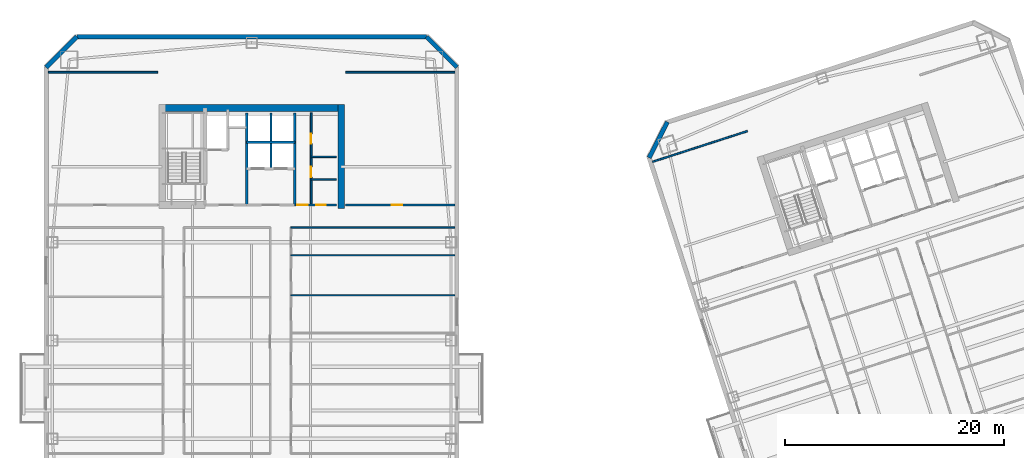
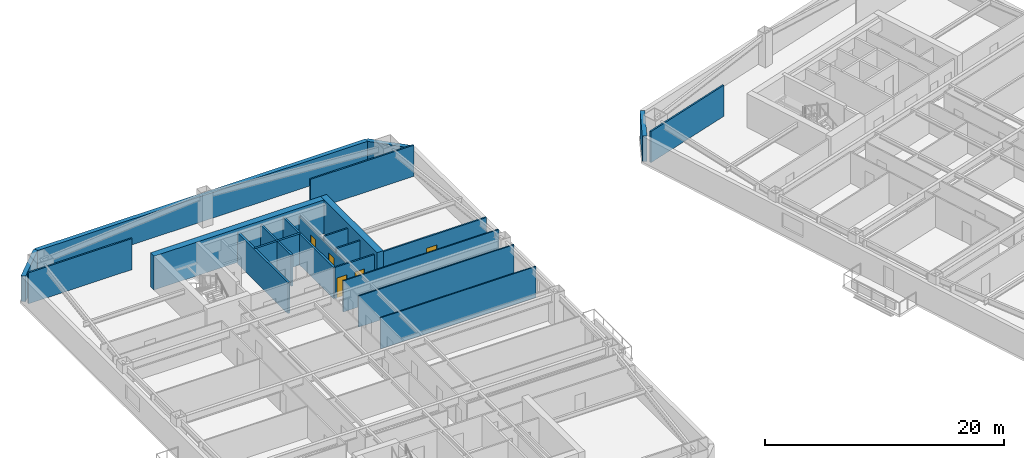
# One storey, part 6 of 14: 21 walls, 5 doors, 5 openings.
"""IFC4 building model written with IfcOpenShell, lengths in metres."""

from ifc_helpers import new_model, si_unit, direction, frame, frame_2d, origin, place, context, subcontext, project, spatial, rectangle, extrude, material, layer, layer_set, type_object, element, fill, save


model = new_model("IFC4")

# Units and contexts
model_context = context("Model", 3, precision=1e-05, world=origin(), true_north=direction((0.0, 1.0)))
body_context = subcontext(model_context, "Body", "Model", "MODEL_VIEW")
ifc_project = project(units=[si_unit("LENGTHUNIT", "METRE"), si_unit("AREAUNIT", "SQUARE_METRE"), si_unit("VOLUMEUNIT", "CUBIC_METRE"), si_unit("PLANEANGLEUNIT", "RADIAN"), si_unit("MASSUNIT", "GRAM", prefix="KILO")], contexts=[model_context])

# Site, building, storey
site_placement = place(None, origin())
site = spatial("IfcSite", under=ifc_project, at=site_placement, CompositionType="ELEMENT")
building_placement = place(site_placement, origin())
building = spatial("IfcBuilding", under=site, at=building_placement, Name="Qiaolan Cultural Towers", CompositionType="ELEMENT")
storey_placement = place(building_placement, frame((0.0, 0.0, 124.199951171875)))
storey = spatial("IfcBuildingStorey", under=building, at=storey_placement, Name="L32", CompositionType="ELEMENT", Elevation=124.199951171875)

# Walls
ifc_material_1 = material(Name="Concrete C55", Category="concrete")
ifc_layer_1 = layer(ifc_material_1, 0.60009765625)
ifc_layer_set_1 = layer_set([ifc_layer_1], Name="Concrete C55")
wall_type_1 = type_object("IfcWallType", Name="WL-CORE-600", PredefinedType="SHEAR", material=ifc_layer_set_1)
wall_1_placement = place(storey_placement, frame((21.5, 55.280029296875, 0.0), z_axis=(0.0, 0.0, 1.0), x_axis=(1.0, 0.0, 0.0)))
element("IfcWall", 1, at=wall_1_placement, inside=storey, type_object=wall_type_1, Name="L32 T1-CN Outer Core Shear Wall", PredefinedType="SHEAR", context=body_context, shape_type="SweptSolid", body=[
    extrude(rectangle(XDim=17.0, YDim=0.60009765625, at=frame_2d((8.5, 0.0))), origin(), (0.0, 0.0, 1.0), 3.449951171875),
])
wall_2_placement = place(storey_placement, frame((38.199951171875, 46.10009765625, 0.0), z_axis=(0.0, 0.0, 1.0), x_axis=(0.0, 1.0, 0.0)))
element("IfcWall", 2, at=wall_2_placement, inside=storey, type_object=wall_type_1, Name="L32 T1-CN East Core Shear Wall", PredefinedType="SHEAR", context=body_context, shape_type="SweptSolid", body=[
    extrude(rectangle(XDim=9.47998046875, YDim=0.60009765625, at=frame_2d((4.739990234375, 0.0))), origin(), (0.0, 0.0, 1.0), 3.449951171875),
])
ifc_material_2 = material(Name="Precast Concrete C50 Honed Stone Pier", Category="masonry")
ifc_layer_2 = layer(ifc_material_2, 0.39990234375)
ifc_layer_set_2 = layer_set([ifc_layer_2], Name="Precast Concrete C50 Honed Stone Pier")
wall_type_2 = type_object("IfcWallType", Name="WL-EXT-PIER-400", PredefinedType="SOLIDWALL", material=ifc_layer_set_2)
wall_3_placement = place(storey_placement, frame((11.199951171875, 59.0, 0.0), z_axis=(0.0, 0.0, 1.0), x_axis=(0.707106781187, 0.707106781187, 0.0)))
element("IfcWall", 3, at=wall_3_placement, inside=storey, type_object=wall_type_2, Name="L32 West Tower Precast Pier Facade Wall F2", PredefinedType="SOLIDWALL", context=body_context, shape_type="SweptSolid", body=[
    extrude(rectangle(XDim=3.9599609375, YDim=0.39990234375, at=frame_2d((1.97998046875, 0.0))), origin(), (0.0, 0.0, 1.0), 2.610107421875),
])
wall_4_placement = place(storey_placement, frame((14.0, 61.800048828125, 0.0), z_axis=(0.0, 0.0, 1.0), x_axis=(1.0, 0.0, 0.0)))
element("IfcWall", 4, at=wall_4_placement, inside=storey, type_object=wall_type_2, Name="L32 West Tower Precast Pier Facade Wall F3", PredefinedType="SOLIDWALL", context=body_context, shape_type="SweptSolid", body=[
    extrude(rectangle(XDim=32.0, YDim=0.39990234375, at=frame_2d((16.0, 0.0))), origin(), (0.0, 0.0, 1.0), 2.610107421875),
])
wall_5_placement = place(storey_placement, frame((46.0, 61.800048828125, 0.0), z_axis=(0.0, 0.0, 1.0), x_axis=(0.707106781187, -0.707106781187, 0.0)))
element("IfcWall", 5, at=wall_5_placement, inside=storey, type_object=wall_type_2, Name="L32 West Tower Precast Pier Facade Wall F4", PredefinedType="SOLIDWALL", context=body_context, shape_type="SweptSolid", body=[
    extrude(rectangle(XDim=3.9599609375, YDim=0.39990234375, at=frame_2d((1.97998046875, 0.0))), origin(), (0.0, 0.0, 1.0), 2.610107421875),
])
wall_6_placement = place(storey_placement, frame((66.37744140625, 50.718505859375, 0.0), z_axis=(0.0, 0.0, 1.0), x_axis=(0.454026238093, 0.890988313685, 0.0)))
element("IfcWall", 6, at=wall_6_placement, inside=storey, type_object=wall_type_2, Name="L32 East Tower Precast Pier Facade Wall F2", PredefinedType="SOLIDWALL", context=body_context, shape_type="SweptSolid", body=[
    extrude(rectangle(XDim=3.677001953125, YDim=0.39990234375, at=frame_2d((1.83837890625, 0.0))), origin(), (0.0, 0.0, 1.0), 2.610107421875),
])
ifc_material_3 = material(Name="Concrete C35 Fire Wall", Category="concrete")
ifc_layer_3 = layer(ifc_material_3, 0.199951171875)
ifc_layer_set_3 = layer_set([ifc_layer_3], Name="Concrete C35 Fire Wall")
wall_type_3 = type_object("IfcWallType", Name="WL-FIRE-200", PredefinedType="PARTITIONING", material=ifc_layer_set_3)
for number, where, z_axis, x_axis, name in (
    (7, (29.550048828125, 46.39990234375, 0.0), (0.0, 0.0, 1.0), (0.0, 1.0, 0.0), "L32 T1-CN Firefighting Zone Wall"),
    (8, (33.949951171875, 46.39990234375, 0.0), (0.0, 0.0, 1.0), (0.0, 1.0, 0.0), "L32 T1-CN Lift Core East Wall"),
):
    element("IfcWall", number, at=place(storey_placement, frame(where, z_axis=z_axis, x_axis=x_axis)), inside=storey, type_object=wall_type_3, Name=name, PredefinedType="PARTITIONING", context=body_context, shape_type="SweptSolid", body=[
        extrude(rectangle(XDim=8.43017578125, YDim=0.199951171875, at=frame_2d((4.215087890625, 0.0))), origin(), (0.0, 0.0, 1.0), 3.175048828125),
    ])
wall_7_placement = place(storey_placement, frame((31.780029296875, 49.719970703125, 0.0), z_axis=(0.0, 0.0, 1.0), x_axis=(0.0, 1.0, 0.0)))
element("IfcWall", 9, at=wall_7_placement, inside=storey, type_object=wall_type_3, Name="L32 T1-CN Lift Shaft Divider Wall", PredefinedType="PARTITIONING", context=body_context, shape_type="SweptSolid", body=[
    extrude(rectangle(XDim=5.110107421875, YDim=0.199951171875, at=frame_2d((2.55517578125, 0.0))), origin(), (0.0, 0.0, 1.0), 3.175048828125),
])
wall_8_placement = place(storey_placement, frame((29.550048828125, 52.14990234375, 0.0), z_axis=(0.0, 0.0, 1.0), x_axis=(1.0, 0.0, 0.0)))
element("IfcWall", 10, at=wall_8_placement, inside=storey, type_object=wall_type_3, Name="L32 T1-CN Passenger Lift Shaft Back Wall", PredefinedType="PARTITIONING", context=body_context, shape_type="SweptSolid", body=[
    extrude(rectangle(XDim=4.39990234375, YDim=0.199951171875, at=frame_2d((2.199951171875, 0.0))), origin(), (0.0, 0.0, 1.0), 3.175048828125),
])
ifc_material_4 = material(Name="Gypsum Stud Acoustic Partition", Category="gypsum")
ifc_layer_4 = layer(ifc_material_4, 0.1201171875)
ifc_layer_set_4 = layer_set([ifc_layer_4], Name="Gypsum Stud Acoustic Partition")
wall_type_4 = type_object("IfcWallType", Name="WL-PART-120", PredefinedType="PARTITIONING", material=ifc_layer_set_4)
for number, where, z_axis, x_axis, name in (
    (11, (33.60009765625, 44.35009765625, 0.0), (0.0, 0.0, 1.0), (1.0, 0.0, 0.0), "L32 T1 Interior Wall"),
    (12, (33.60009765625, 38.133056640625, 0.0), (0.0, 0.0, 1.0), (1.0, 0.0, 0.0), "L32 T1 Interior Wall"),
    (13, (33.60009765625, 41.800048828125, 0.0), (0.0, 0.0, 1.0), (1.0, 0.0, 0.0), "L32 T1 Interior Wall"),
):
    element("IfcWall", number, at=place(storey_placement, frame(where, z_axis=z_axis, x_axis=x_axis)), inside=storey, type_object=wall_type_4, Name=name, PredefinedType="PARTITIONING", context=body_context, shape_type="SweptSolid", body=[
        extrude(rectangle(XDim=15.0, YDim=0.1201171875, at=frame_2d((7.5, 0.0))), origin(), (0.0, 0.0, 1.0), 3.175048828125),
    ])

# Wall, openings, doors
ifc_material_5 = material(Name="Autoclaved Aerated Concrete Block B06", Category="concrete")
ifc_layer_5 = layer(ifc_material_5, 0.14990234375)
ifc_layer_set_5 = layer_set([ifc_layer_5], Name="Autoclaved Aerated Concrete Block B06")
wall_type_5 = type_object("IfcWallType", Name="WL-PART-150", PredefinedType="PARTITIONING", material=ifc_layer_set_5)
wall_9_placement = place(storey_placement, frame((33.949951171875, 46.39990234375, 0.0), z_axis=(0.0, 0.0, 1.0), x_axis=(1.0, 0.0, 0.0)))
wall_9 = element("IfcWall", 14, at=wall_9_placement, inside=storey, type_object=wall_type_5, Name="L32 T1-CN Sanitary Core Front Wall", PredefinedType="PARTITIONING", context=body_context, shape_type="SweptSolid", body=[
    extrude(rectangle(XDim=3.800048828125, YDim=0.14990234375, at=frame_2d((1.89990234375, 0.0))), origin(), (0.0, 0.0, 1.0), 3.175048828125),
])
opening_1_placement = place(wall_9_placement, frame((0.219970703125, 0.0, 0.0)))
opening_1 = element("IfcOpeningElement", 15, at=opening_1_placement, cuts=wall_9, Name="Opening ID-05", PredefinedType="OPENING", context=body_context, shape_type="SweptSolid", body=[
    extrude(rectangle(XDim=0.949951171875, YDim=2.050048828125, at=frame_2d((0.47509765625, 1.02490234375))), frame((0.0, 0.0849609375, 0.0), z_axis=(0.0, -1.0, 0.0), x_axis=(1.0, 0.0, 0.0)), (0.0, 0.0, 1.0), 0.169921875),
])
opening_2_placement = place(wall_9_placement, frame((1.949951171875, 0.0, 0.0)))
opening_2 = element("IfcOpeningElement", 16, at=opening_2_placement, cuts=wall_9, Name="Opening ID-06", PredefinedType="OPENING", context=body_context, shape_type="SweptSolid", body=[
    extrude(rectangle(XDim=0.89990234375, YDim=2.050048828125, at=frame_2d((0.449951171875, 1.02490234375))), frame((0.0, 0.0849609375, 0.0), z_axis=(0.0, -1.0, 0.0), x_axis=(1.0, 0.0, 0.0)), (0.0, 0.0, 1.0), 0.169921875),
])
ifc_material_6 = material(Name="Fire-Rated Laminate Core Service Door", Category="timber")
door_type_1 = type_object("IfcDoorType", Name="DR-INT-900", OperationType="NOTDEFINED", PredefinedType="DOOR", material=ifc_material_6)
door_1_placement = place(opening_2_placement, origin())
door_1 = element("IfcDoor", 17, at=door_1_placement, inside=storey, type_object=door_type_1, Name="L32 Core Tea Pantry Door", OperationType="SINGLE_SWING_RIGHT", OverallHeight=2.050048828125, OverallWidth=0.89990234375, PredefinedType="DOOR", context=body_context, shape_type="SweptSolid", body=[
    extrude(rectangle(XDim=0.89990234375, YDim=2.050048828125, at=frame_2d((0.449951171875, 1.02490234375))), frame((0.0, 0.02490234375, 0.0), z_axis=(0.0, -1.0, 0.0), x_axis=(1.0, 0.0, 0.0)), (0.0, 0.0, 1.0), 0.050048828125),
])
fill(opening_2, door_1)
ifc_material_7 = material(Name="Fire-Rated Laminate Accessible Core Door", Category="timber")
door_type_2 = type_object("IfcDoorType", Name="DR-INT-950", OperationType="NOTDEFINED", PredefinedType="DOOR", material=ifc_material_7)
door_2_placement = place(opening_1_placement, origin())
door_2 = element("IfcDoor", 18, at=door_2_placement, inside=storey, type_object=door_type_2, Name="L32 Sanitary Passage Door", OperationType="SINGLE_SWING_LEFT", OverallHeight=2.050048828125, OverallWidth=0.949951171875, PredefinedType="DOOR", context=body_context, shape_type="SweptSolid", body=[
    extrude(rectangle(XDim=0.949951171875, YDim=2.050048828125, at=frame_2d((0.47509765625, 1.02490234375))), frame((0.0, 0.02490234375, 0.0), z_axis=(0.0, -1.0, 0.0), x_axis=(1.0, 0.0, 0.0)), (0.0, 0.0, 1.0), 0.050048828125),
])
fill(opening_1, door_2)

wall_10_placement = place(storey_placement, frame((35.449951171875, 46.39990234375, 0.0), z_axis=(0.0, 0.0, 1.0), x_axis=(0.0, 1.0, 0.0)))
wall_10 = element("IfcWall", 19, at=wall_10_placement, inside=storey, type_object=wall_type_5, Name="L32 T1-CN Sanitary Corridor Wall", PredefinedType="PARTITIONING", context=body_context, shape_type="SweptSolid", body=[
    extrude(rectangle(XDim=8.43017578125, YDim=0.14990234375, at=frame_2d((4.215087890625, 0.0))), origin(), (0.0, 0.0, 1.0), 2.76513671875),
])
opening_3_placement = place(wall_10_placement, frame((2.550048828125, 0.0, 0.0)))
opening_3 = element("IfcOpeningElement", 20, at=opening_3_placement, cuts=wall_10, Name="Opening ID-05", PredefinedType="OPENING", context=body_context, shape_type="SweptSolid", body=[
    extrude(rectangle(XDim=0.949951171875, YDim=2.050048828125, at=frame_2d((0.47509765625, 1.02490234375))), frame((0.0, 0.0849609375, 0.0), z_axis=(0.0, -1.0, 0.0), x_axis=(1.0, 0.0, 0.0)), (0.0, 0.0, 1.0), 0.169921875),
])
opening_4_placement = place(wall_10_placement, frame((5.60009765625, 0.0, 0.0)))
opening_4 = element("IfcOpeningElement", 21, at=opening_4_placement, cuts=wall_10, Name="Opening ID-06", PredefinedType="OPENING", context=body_context, shape_type="SweptSolid", body=[
    extrude(rectangle(XDim=0.89990234375, YDim=2.050048828125, at=frame_2d((0.449951171875, 1.02490234375))), frame((0.0, 0.0849609375, 0.0), z_axis=(0.0, -1.0, 0.0), x_axis=(1.0, 0.0, 0.0)), (0.0, 0.0, 1.0), 0.169921875),
])
door_3_placement = place(opening_4_placement, origin())
door_3 = element("IfcDoor", 22, at=door_3_placement, inside=storey, type_object=door_type_1, Name="L32 Staff Restroom Door", OperationType="SINGLE_SWING_RIGHT", OverallHeight=2.050048828125, OverallWidth=0.89990234375, PredefinedType="DOOR", context=body_context, shape_type="SweptSolid", body=[
    extrude(rectangle(XDim=0.89990234375, YDim=2.050048828125, at=frame_2d((0.449951171875, 1.02490234375))), frame((0.0, 0.02490234375, 0.0), z_axis=(0.0, -1.0, 0.0), x_axis=(1.0, 0.0, 0.0)), (0.0, 0.0, 1.0), 0.050048828125),
])
fill(opening_4, door_3)
door_4_placement = place(opening_3_placement, origin())
door_4 = element("IfcDoor", 23, at=door_4_placement, inside=storey, type_object=door_type_2, Name="L32 Accessible Washroom Door", OperationType="SINGLE_SWING_LEFT", OverallHeight=2.050048828125, OverallWidth=0.949951171875, PredefinedType="DOOR", context=body_context, shape_type="SweptSolid", body=[
    extrude(rectangle(XDim=0.949951171875, YDim=2.050048828125, at=frame_2d((0.47509765625, 1.02490234375))), frame((0.0, 0.02490234375, 0.0), z_axis=(0.0, -1.0, 0.0), x_axis=(1.0, 0.0, 0.0)), (0.0, 0.0, 1.0), 0.050048828125),
])
fill(opening_3, door_4)

# Walls
for number, where, z_axis, x_axis, name in (
    (24, (35.449951171875, 50.800048828125, 0.0), (0.0, 0.0, 1.0), (1.0, 0.0, 0.0), "L32 T1-CN Restroom Split Wall"),
    (25, (35.449951171875, 48.75, 0.0), (0.0, 0.0, 1.0), (1.0, 0.0, 0.0), "L32 T1-CN Core Pantry Wall"),
):
    element("IfcWall", number, at=place(storey_placement, frame(where, z_axis=z_axis, x_axis=x_axis)), inside=storey, type_object=wall_type_5, Name=name, PredefinedType="PARTITIONING", context=body_context, shape_type="SweptSolid", body=[
        extrude(rectangle(XDim=2.300048828125, YDim=0.14990234375, at=frame_2d((1.14990234375, 0.0))), origin(), (0.0, 0.0, 1.0), 3.175048828125),
    ])
for number, where, z_axis, x_axis, name in (
    (26, (11.39990234375, 58.550048828125, 0.0), (0.0, 0.0, 1.0), (1.0, 0.0, 0.0), "L32 T1 Flank Wall FLK-NW"),
    (27, (38.60009765625, 58.550048828125, 0.0), (0.0, 0.0, 1.0), (1.0, 0.0, 0.0), "L32 T1 Flank Wall FLK-NE"),
):
    element("IfcWall", number, at=place(storey_placement, frame(where, z_axis=z_axis, x_axis=x_axis)), inside=storey, type_object=wall_type_5, Name=name, PredefinedType="PARTITIONING", context=body_context, shape_type="SweptSolid", body=[
        extrude(rectangle(XDim=10.0, YDim=0.14990234375, at=frame_2d((5.0, 0.0))), origin(), (0.0, 0.0, 1.0), 3.175048828125),
    ])

# Wall, opening, door
wall_11_placement = place(storey_placement, frame((38.60009765625, 46.39990234375, 0.0), z_axis=(0.0, 0.0, 1.0), x_axis=(1.0, 0.0, 0.0)))
wall_11 = element("IfcWall", 28, at=wall_11_placement, inside=storey, type_object=wall_type_5, Name="L32 T1 Flank Front FLK-NE", PredefinedType="PARTITIONING", context=body_context, shape_type="SweptSolid", body=[
    extrude(rectangle(XDim=10.0, YDim=0.14990234375, at=frame_2d((5.0, 0.0))), origin(), (0.0, 0.0, 1.0), 3.175048828125),
])
opening_5_placement = place(wall_11_placement, frame((4.199951171875, 0.0, 0.0)))
opening_5 = element("IfcOpeningElement", 29, at=opening_5_placement, cuts=wall_11, Name="Opening ID-04", PredefinedType="OPENING", context=body_context, shape_type="SweptSolid", body=[
    extrude(rectangle(XDim=1.0, YDim=2.050048828125, at=frame_2d((0.5, 1.02490234375))), frame((0.0, 0.0849609375, 0.0), z_axis=(0.0, -1.0, 0.0), x_axis=(1.0, 0.0, 0.0)), (0.0, 0.0, 1.0), 0.169921875),
])
ifc_material_8 = material(Name="Oak Veneer Acoustic Office Door", Category="timber")
door_type_3 = type_object("IfcDoorType", Name="DR-INT-1000", OperationType="NOTDEFINED", PredefinedType="DOOR", material=ifc_material_8)
door_5_placement = place(opening_5_placement, origin())
door_5 = element("IfcDoor", 30, at=door_5_placement, inside=storey, type_object=door_type_3, Name="L32 T1 Corner Studio Door", OperationType="SINGLE_SWING_LEFT", OverallHeight=2.050048828125, OverallWidth=1.0, PredefinedType="DOOR", context=body_context, shape_type="SweptSolid", body=[
    extrude(rectangle(XDim=1.0, YDim=2.050048828125, at=frame_2d((0.5, 1.02490234375))), frame((0.0, 0.02490234375, 0.0), z_axis=(0.0, -1.0, 0.0), x_axis=(1.0, 0.0, 0.0)), (0.0, 0.0, 1.0), 0.050048828125),
])
fill(opening_5, door_5)

# Wall
wall_12_placement = place(storey_placement, frame((66.706787109375, 50.352294921875, 0.0), z_axis=(0.0, 0.0, 1.0), x_axis=(0.951057133767, 0.309015093986, 0.0)))
element("IfcWall", 31, at=wall_12_placement, inside=storey, type_object=wall_type_5, Name="L32 T2 Flank Wall FLK-NW", PredefinedType="PARTITIONING", context=body_context, shape_type="SweptSolid", body=[
    extrude(rectangle(XDim=9.099853515625, YDim=0.14990234375, at=frame_2d((4.5498046875, 0.0))), origin(), (0.0, 0.0, 1.0), 3.175048828125),
])

save(model, "model.ifc")
